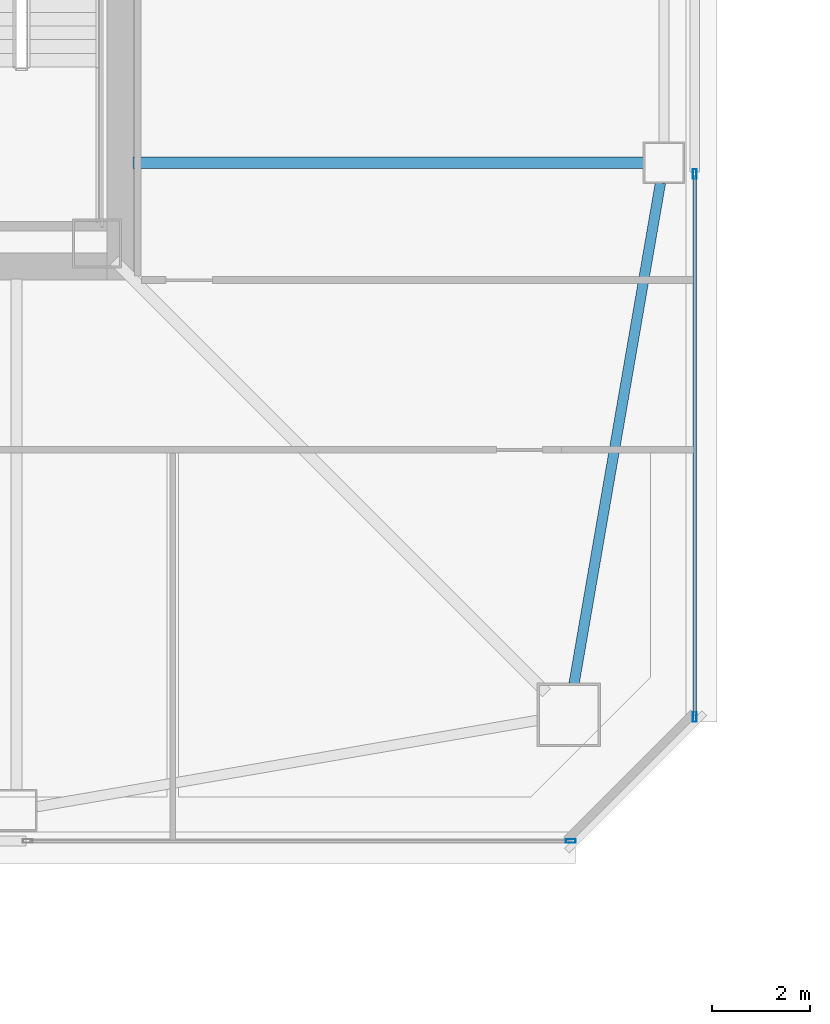
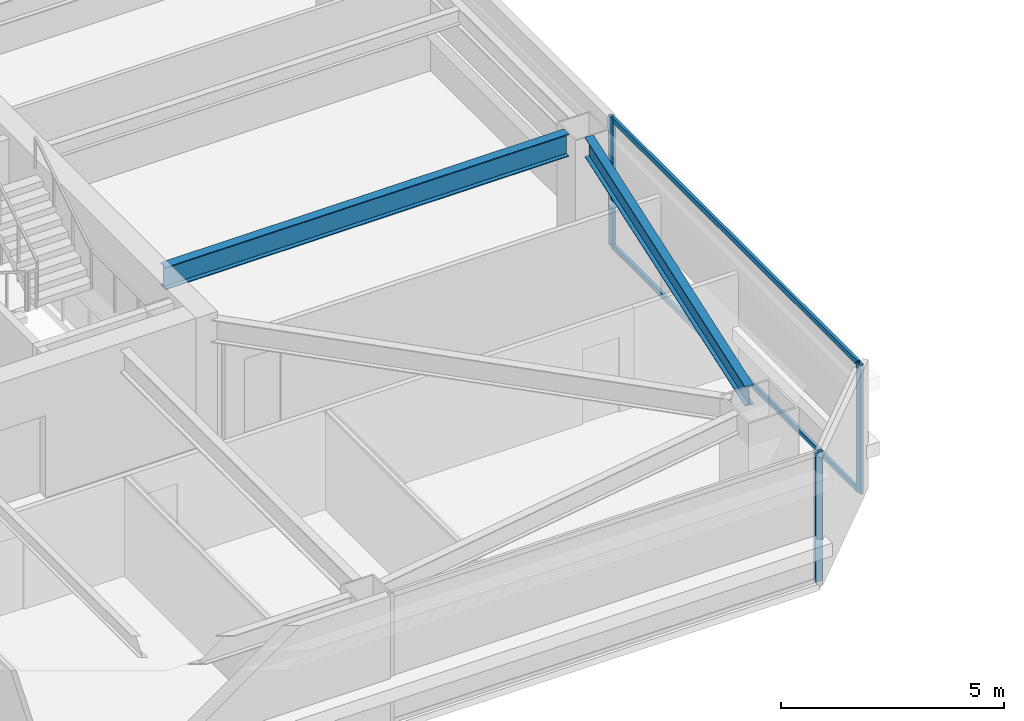
# One storey, part 9 of 41: 5 members, 2 beams, 2 elements without a shape of their own.
"""IFC4 building model written with IfcOpenShell, lengths in metres."""

import ifcopenshell
import ifcopenshell.guid

model = None  # the IFC model being written
_history = None  # IfcOwnerHistory: only IFC2X3 demands one
_inside = {}  # id of a spatial element -> (the spatial element, [elements in it])
_under = {}  # id of a project, library or spatial element -> (it, [spatial elements below it])
_declared = {}  # id of a project -> (the project, [libraries it declares])
_typed = {}  # id of a type object -> (the type object, [elements of that type])
_made_of = {}  # id of a material, layer set ... -> (it, [elements and type objects made of it])


def new_model(schema):
    """Start an empty IFC model of exactly this schema.

    Asked for "IFC4X3", IfcOpenShell would pick the latest addendum, in which some entities
    have other attributes; the version numbers below select the first issue.
    IFC2X3 requires an IfcOwnerHistory on every rooted entity: one is made here for all.
    """
    global model, _history
    if schema == "IFC4X3":
        model = ifcopenshell.file(schema_version=(4, 3, 0, 0))
    else:
        model = ifcopenshell.file(schema=schema)
    _inside.clear()
    _under.clear()
    _declared.clear()
    _typed.clear()
    _made_of.clear()
    _history = None
    if model.schema == "IFC2X3":
        org = make("IfcOrganization", Name="unknown")
        user = make(
            "IfcPersonAndOrganization",
            ThePerson=make("IfcPerson", FamilyName="unknown"),
            TheOrganization=org,
        )
        app = make(
            "IfcApplication",
            ApplicationDeveloper=org,
            Version="unknown",
            ApplicationFullName="unknown",
            ApplicationIdentifier="unknown",
        )
        _history = make(
            "IfcOwnerHistory",
            OwningUser=user,
            OwningApplication=app,
            ChangeAction="ADDED",
            CreationDate=0,
        )
    return model


def make(cls, **values):
    """One entity of the class cls with the attributes given. An attribute that is None is left unset."""
    return model.create_entity(
        cls, **{name: value for name, value in values.items() if value is not None}
    )


def rooted(cls, **values):
    """An entity with a GlobalId (a new one), such as an element, a storey or a relation."""
    return make(cls, GlobalId=ifcopenshell.guid.new(), OwnerHistory=_history, **values)


def si_unit(unit_type, name, prefix=None):
    """IfcSIUnit, for example si_unit("LENGTHUNIT", "METRE", prefix="MILLI")."""
    return make("IfcSIUnit", UnitType=unit_type, Prefix=prefix, Name=name)


def assignment(units):
    """IfcUnitAssignment: the units of a project."""
    return None if units is None else make("IfcUnitAssignment", Units=units)


def point(xyz):
    """IfcCartesianPoint."""
    return None if xyz is None else make("IfcCartesianPoint", Coordinates=xyz)


def direction(xyz):
    """IfcDirection."""
    return None if xyz is None else make("IfcDirection", DirectionRatios=xyz)


def frame(location, z_axis=None, x_axis=None):
    """IfcAxis2Placement3D, a coordinate frame: its origin and axes. An axis left out is left unset."""
    return make(
        "IfcAxis2Placement3D",
        Location=point(location),
        Axis=direction(z_axis),
        RefDirection=direction(x_axis),
    )


def frame_2d(location, x_axis=None):
    """IfcAxis2Placement2D, a coordinate frame in the plane: its origin and x axis."""
    return make(
        "IfcAxis2Placement2D", Location=point(location), RefDirection=direction(x_axis)
    )


def origin():
    """The frame at (0, 0, 0) with its axes left unset."""
    return frame((0.0, 0.0, 0.0))


def origin_2d():
    """The frame at (0, 0) in the plane with its x axis left unset."""
    return frame_2d((0.0, 0.0))


def place(relative_to, where):
    """IfcLocalPlacement: puts the frame where relative to a parent placement (None: the world)."""
    return make(
        "IfcLocalPlacement", PlacementRelTo=relative_to, RelativePlacement=where
    )


def context(
    kind, dimensions, precision=None, world=None, true_north=None, identifier=None
):
    """IfcGeometricRepresentationContext, for example the 3D "Model" context."""
    return make(
        "IfcGeometricRepresentationContext",
        ContextIdentifier=identifier,
        ContextType=kind,
        CoordinateSpaceDimension=dimensions,
        Precision=precision,
        WorldCoordinateSystem=world,
        TrueNorth=true_north,
    )


def subcontext(parent, identifier, kind, view, scale=None):
    """IfcGeometricRepresentationSubContext, for example "Body" below "Model"."""
    return make(
        "IfcGeometricRepresentationSubContext",
        ContextIdentifier=identifier,
        ContextType=kind,
        ParentContext=parent,
        TargetScale=scale,
        TargetView=view,
    )


def project(units=None, contexts=None):
    """IfcProject with its units and contexts."""
    return rooted(
        "IfcProject",
        Name="project",
        RepresentationContexts=contexts,
        UnitsInContext=assignment(units),
    )


def spatial(cls, under=None, at=None, **own):
    """A site, building, storey or space (cls), placed at a placement, below another one or the project."""
    s = rooted(cls, ObjectPlacement=at, **own)
    if under is not None:
        _under.setdefault(under.id(), (under, []))[1].append(s)
    return s


def profile(cls, at=None, kind="AREA", **sizes):
    """A parametric profile (cls). Its sizes go by their IFC names, for example OverallWidth=200.0."""
    return make(cls, ProfileType=kind, Position=at, **sizes)


def hollow_rectangle(**sizes):
    """IfcRectangleHollowProfileDef."""
    return profile("IfcRectangleHollowProfileDef", **sizes)


def i_section(**sizes):
    """IfcIShapeProfileDef."""
    return profile("IfcIShapeProfileDef", **sizes)


def extrude(swept, where, along, depth):
    """IfcExtrudedAreaSolid: the profile swept, set in the frame where, extruded along a direction by depth."""
    return make(
        "IfcExtrudedAreaSolid",
        SweptArea=swept,
        Position=where,
        ExtrudedDirection=direction(along),
        Depth=depth,
    )


def shape(context_of_items, identifier, shape_type, items):
    """IfcShapeRepresentation: the items that make up one representation, for example the "Body"."""
    return make(
        "IfcShapeRepresentation",
        ContextOfItems=context_of_items,
        RepresentationIdentifier=identifier,
        RepresentationType=shape_type,
        Items=items,
    )


def material(Name=None, Category=None):
    """IfcMaterial."""
    return make("IfcMaterial", Name=Name, Category=Category)


def material_profile(
    of_material, cross_section, Name=None, Category=None, Priority=None
):
    """IfcMaterialProfile: a cross section and its material."""
    return make(
        "IfcMaterialProfile",
        Name=Name,
        Material=of_material,
        Profile=cross_section,
        Priority=Priority,
        Category=Category,
    )


def profile_set(profiles, Name=None, composite=None):
    """IfcMaterialProfileSet."""
    return make(
        "IfcMaterialProfileSet",
        Name=Name,
        MaterialProfiles=profiles,
        CompositeProfile=composite,
    )


def made_of(thing, what):
    """Note that an element or type object is made of a material, layer set ...; save() writes the relation."""
    if what is not None:
        _made_of.setdefault(what.id(), (what, []))[1].append(thing)
    return thing


def type_object(cls, material=None, **own):
    """A type object (cls), such as IfcWallType, which elements share."""
    return made_of(rooted(cls, **own), material)


def element(
    cls,
    number,
    at=None,
    inside=None,
    cuts=None,
    type_object=None,
    material=None,
    context=None,
    identifier="Body",
    shape_type=None,
    held_by="IfcProductDefinitionShape",
    body=None,
    shapes=None,
    **own,
):
    """One element of the class cls, such as IfcWall. Its Tag is "e" and its number.

    at: its placement. inside: the storey or other place that contains it. cuts: it is an
    opening in that element (IfcRelVoidsElement). A single representation is given by context,
    identifier, shape_type and body (its items); several are given by shapes. held_by: the class
    of the entity that holds the representations. save() writes the other relations.
    """
    e = rooted(cls, Tag="e%d" % number, ObjectPlacement=at, **own)
    if body is not None:
        shapes = [shape(context, identifier, shape_type, body)]
    if shapes is not None:
        e.Representation = make(held_by, Representations=shapes)
    if inside is not None:
        _inside.setdefault(inside.id(), (inside, []))[1].append(e)
    if cuts is not None:
        rooted(
            "IfcRelVoidsElement", RelatingBuildingElement=cuts, RelatedOpeningElement=e
        )
    if type_object is not None:
        _typed.setdefault(type_object.id(), (type_object, []))[1].append(e)
    return made_of(e, material)


def aggregate(whole, parts):
    """IfcRelAggregates: a whole, such as a stair, and the parts it consists of."""
    return rooted("IfcRelAggregates", RelatingObject=whole, RelatedObjects=parts)


def save(model, path):
    """Write the relations noted so far, then the file.

    IfcRelAggregates (storeys below a building ...), IfcRelContainedInSpatialStructure (elements
    in a storey), IfcRelDefinesByType, IfcRelAssociatesMaterial and IfcRelDeclares: one each for
    every whole, place, type object, material and project.
    """
    for whole, parts in _under.values():
        aggregate(whole, parts)
    for where, things in _inside.values():
        rooted(
            "IfcRelContainedInSpatialStructure",
            RelatedElements=things,
            RelatingStructure=where,
        )
    for kind, things in _typed.values():
        rooted("IfcRelDefinesByType", RelatedObjects=things, RelatingType=kind)
    for what, things in _made_of.values():
        rooted("IfcRelAssociatesMaterial", RelatedObjects=things, RelatingMaterial=what)
    for by, libraries in _declared.values():
        rooted("IfcRelDeclares", RelatingContext=by, RelatedDefinitions=libraries)
    model.write(path)


model = new_model("IFC4")

# Units and contexts
model_context = context("Model", 3, precision=1e-05, world=origin(), true_north=direction((0.0, 1.0)))
body_context = subcontext(model_context, "Body", "Model", "MODEL_VIEW")
ifc_project = project(units=[si_unit("LENGTHUNIT", "METRE"), si_unit("AREAUNIT", "SQUARE_METRE"), si_unit("VOLUMEUNIT", "CUBIC_METRE"), si_unit("PLANEANGLEUNIT", "RADIAN"), si_unit("MASSUNIT", "GRAM", prefix="KILO")], contexts=[model_context])

# Site, building, storey
site_placement = place(None, origin())
site = spatial("IfcSite", under=ifc_project, at=site_placement, CompositionType="ELEMENT")
building_placement = place(site_placement, origin())
building = spatial("IfcBuilding", under=site, at=building_placement, Name="Tashvorn Skyway Center", CompositionType="ELEMENT")
storey_placement = place(building_placement, frame((0.0, 0.0, 117.949951171875)))
storey = spatial("IfcBuildingStorey", under=building, at=storey_placement, Name="L31", CompositionType="ELEMENT", Elevation=117.949951171875)

# Beams
ifc_material_1 = material(Name="Steel ASTM A992 Grade 50", Category="steel")
ifc_material_profile_1 = material_profile(ifc_material_1, i_section(OverallWidth=0.22998046875, OverallDepth=0.616943359375, WebThickness=0.01318359375, FlangeThickness=0.022216796875, at=origin_2d()), Name="W24X94")
ifc_profile_set_1 = profile_set([ifc_material_profile_1], Name="Steel ASTM A992 Grade 50")
beam_type_1 = type_object("IfcBeamType", Name="BM-BEAM-W24X94", PredefinedType="BEAM", material=ifc_profile_set_1)
beam_1_placement = place(storey_placement, frame((60.22998046875, 26.60009765625, 3.0615234375), z_axis=(-1.0, 0.0, 0.0), x_axis=(0.0, -1.0, 0.0)))
element("IfcBeam", 1, at=beam_1_placement, inside=storey, type_object=beam_type_1, Name="Tower 1 L31 Primary Floor Girder FC-E1", PredefinedType="BEAM", context=body_context, shape_type="SweptSolid", body=[
    extrude(i_section(OverallWidth=0.22998046875, OverallDepth=0.616943359375, WebThickness=0.01318359375, FlangeThickness=0.022216796875, at=origin_2d()), origin(), (0.0, 0.0, 1.0), 10.449951171875),
])
ifc_material_profile_2 = material_profile(ifc_material_1, i_section(OverallWidth=0.2109375, OverallDepth=0.5390625, WebThickness=0.01171875, FlangeThickness=0.018798828125, at=origin_2d()), Name="W21X73")
ifc_profile_set_2 = profile_set([ifc_material_profile_2], Name="Steel ASTM A992 Grade 50")
beam_type_2 = type_object("IfcBeamType", Name="BM-SPANDREL-W21X73", PredefinedType="SPANDREL", material=ifc_profile_set_2)
beam_2_placement = place(storey_placement, frame((58.8095703125, 15.935546875, 3.1005859375), z_axis=(0.170067250846, 0.985432458462, 0.0), x_axis=(-0.985432458462, 0.170067250846, 0.0)))
element("IfcBeam", 2, at=beam_2_placement, inside=storey, type_object=beam_type_2, Name="Tower 1 L31 Spandrel Beam 04", PredefinedType="SPANDREL", context=body_context, shape_type="SweptSolid", body=[
    extrude(i_section(OverallWidth=0.2109375, OverallDepth=0.5390625, WebThickness=0.01171875, FlangeThickness=0.018798828125, at=origin_2d()), origin(), (0.0, 0.0, 1.0), 10.402099609375),
])

# Curtain wall, member
ifc_material_2 = material(Name="Thermally broken bronze-anodized aluminium 6063-T6", Category="aluminium")
curtain_wall_type = type_object("IfcCurtainWallType", Name="CW-CW-Z3", PredefinedType="NOTDEFINED", material=ifc_material_2)
curtain_wall_1_placement = place(storey_placement, origin())
curtain_wall_1 = element("IfcCurtainWall", 3, at=curtain_wall_1_placement, inside=storey, type_object=curtain_wall_type, Name="Tower 1 L31 South Unitised Curtain Wall Glazing Group 1", PredefinedType="NOTDEFINED")
ifc_material_profile_3 = material_profile(ifc_material_2, hollow_rectangle(XDim=0.074951171875, YDim=0.199951171875, WallThickness=0.00439453125, at=origin_2d()), Name="ALU-MULL-75x200")
ifc_profile_set_3 = profile_set([ifc_material_profile_3], Name="Thermally broken bronze-anodized aluminium 6063-T6")
member_type_1 = type_object("IfcMemberType", Name="CWM-CW-Z3", PredefinedType="MULLION", material=ifc_profile_set_3)
member_1_placement = place(storey_placement, frame((58.742431640625, 12.719970703125, 0.0), z_axis=(0.0, 0.0, 1.0), x_axis=(0.0, -1.0, 0.0)))
member_1 = element("IfcMember", 4, at=member_1_placement, type_object=member_type_1, Name="CW-Z3 mullion 1", PredefinedType="MULLION", context=body_context, shape_type="SweptSolid", body=[
    extrude(hollow_rectangle(XDim=0.074951171875, YDim=0.199951171875, WallThickness=0.00439453125, at=origin_2d()), origin(), (0.0, 0.0, 1.0), 3.550048828125),
])
aggregate(curtain_wall_1, [member_1])

# Curtain wall, members
curtain_wall_2_placement = place(storey_placement, origin())
curtain_wall_2 = element("IfcCurtainWall", 5, at=curtain_wall_2_placement, inside=storey, type_object=curtain_wall_type, Name="Tower 1 L31 East Unitised Curtain Wall Glazing Group 2", PredefinedType="NOTDEFINED")
member_2_placement = place(storey_placement, frame((61.280029296875, 26.369140625, 0.0), z_axis=(0.0, 0.0, 1.0), x_axis=(1.0, 0.0, 0.0)))
member_2 = element("IfcMember", 6, at=member_2_placement, type_object=member_type_1, Name="CW-Z3 mullion 1", PredefinedType="MULLION", context=body_context, shape_type="SweptSolid", body=[
    extrude(hollow_rectangle(XDim=0.074951171875, YDim=0.199951171875, WallThickness=0.00439453125, at=origin_2d()), origin(), (0.0, 0.0, 1.0), 3.550048828125),
])
member_3_placement = place(storey_placement, frame((61.280029296875, 15.257568359375, 0.0), z_axis=(0.0, 0.0, 1.0), x_axis=(1.0, 0.0, 0.0)))
member_3 = element("IfcMember", 7, at=member_3_placement, type_object=member_type_1, Name="CW-Z3 mullion 2", PredefinedType="MULLION", context=body_context, shape_type="SweptSolid", body=[
    extrude(hollow_rectangle(XDim=0.074951171875, YDim=0.199951171875, WallThickness=0.00439453125, at=origin_2d()), origin(), (0.0, 0.0, 1.0), 3.550048828125),
])
ifc_material_profile_4 = material_profile(ifc_material_2, hollow_rectangle(XDim=0.074951171875, YDim=0.139892578125, WallThickness=0.004150390625, at=origin_2d()), Name="ALU-TRAN-75x140")
ifc_profile_set_4 = profile_set([ifc_material_profile_4], Name="Thermally broken bronze-anodized aluminium 6063-T6")
member_type_2 = type_object("IfcMemberType", Name="CWT-CW-Z3", PredefinedType="USERDEFINED", material=ifc_profile_set_4)
member_4_placement = place(storey_placement, frame((61.280029296875, 26.331787109375, 0.03759765625), z_axis=(0.0, -1.0, 0.0), x_axis=(1.0, 0.0, 0.0)))
member_4 = element("IfcMember", 8, at=member_4_placement, type_object=member_type_2, Name="CW-Z3 transom 1.1", ObjectType="TRANSOM", PredefinedType="USERDEFINED", context=body_context, shape_type="SweptSolid", body=[
    extrude(hollow_rectangle(XDim=0.074951171875, YDim=0.139892578125, WallThickness=0.004150390625, at=origin_2d()), origin(), (0.0, 0.0, 1.0), 11.036865234375),
])
member_5_placement = place(storey_placement, frame((61.280029296875, 26.331787109375, 3.512451171875), z_axis=(0.0, -1.0, 0.0), x_axis=(1.0, 0.0, 0.0)))
member_5 = element("IfcMember", 9, at=member_5_placement, type_object=member_type_2, Name="CW-Z3 transom 1.2", ObjectType="TRANSOM", PredefinedType="USERDEFINED", context=body_context, shape_type="SweptSolid", body=[
    extrude(hollow_rectangle(XDim=0.074951171875, YDim=0.139892578125, WallThickness=0.004150390625, at=origin_2d()), origin(), (0.0, 0.0, 1.0), 11.036865234375),
])
aggregate(curtain_wall_2, [member_2, member_3, member_4, member_5])

save(model, "model.ifc")
